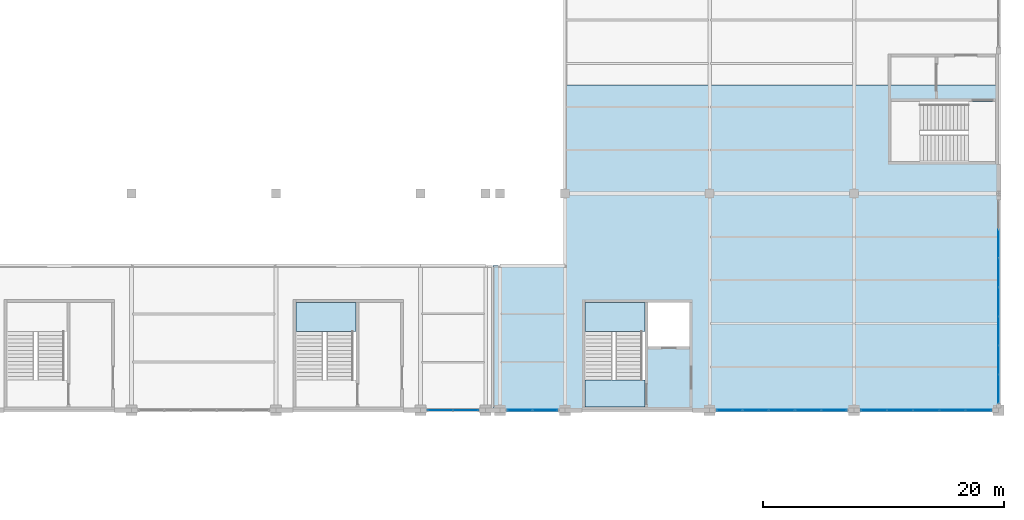
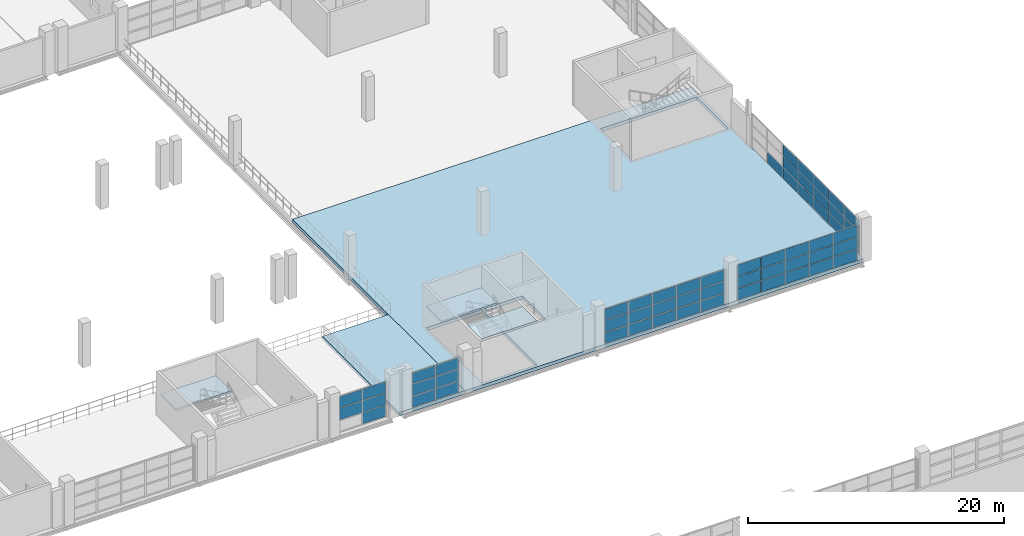
# One storey, part 134 of 158: 57 plates, 5 slabs, 7 elements without a shape of their own.
"""IFC4 building model written with IfcOpenShell, lengths in metres."""

from ifc_helpers import new_model, si_unit, direction, frame, origin, origin_2d, place, context, subcontext, project, spatial, polyline, rectangle, outline, extrude, material, layer, layer_set, type_object, element, aggregate, save


model = new_model("IFC4")

# Units and contexts
model_context = context("Model", 3, precision=1e-05, world=origin(), true_north=direction((0.0, 1.0)))
body_context = subcontext(model_context, "Body", "Model", "MODEL_VIEW")
ifc_project = project(units=[si_unit("LENGTHUNIT", "METRE"), si_unit("AREAUNIT", "SQUARE_METRE"), si_unit("VOLUMEUNIT", "CUBIC_METRE"), si_unit("PLANEANGLEUNIT", "RADIAN"), si_unit("MASSUNIT", "GRAM", prefix="KILO")], contexts=[model_context])

# Site, building, storey
site_placement = place(None, origin())
site = spatial("IfcSite", under=ifc_project, at=site_placement, CompositionType="ELEMENT")
building_placement = place(site_placement, origin())
building = spatial("IfcBuilding", under=site, at=building_placement, Name="Zilviju Railside Exhibition Hall", CompositionType="ELEMENT")
storey_placement = place(building_placement, frame((0.0, 0.0, 4.199951171875)))
storey = spatial("IfcBuildingStorey", under=building, at=storey_placement, Name="L02", CompositionType="ELEMENT", Elevation=4.199951171875)

# Curtain wall, plates
ifc_material_1 = material(Name="Thermally broken aluminium-steel triple-glazed curtain wall", Category="steel")
ifc_layer_1 = layer(ifc_material_1, 0.179931640625)
ifc_layer_set_1 = layer_set([ifc_layer_1], Name="Thermally broken aluminium-steel triple-glazed curtain wall")
curtain_wall_type_1 = type_object("IfcCurtainWallType", Name="CW-BAY-09", PredefinedType="USERDEFINED", material=ifc_layer_set_1)
curtain_wall_1_placement = place(storey_placement, origin())
curtain_wall_1 = element("IfcCurtainWall", 1, at=curtain_wall_1_placement, inside=storey, type_object=curtain_wall_type_1, Name="North Hall Garden Court Curtain Wall L02 (168..173)", ObjectType="GLAZED CURTAIN WALL", PredefinedType="USERDEFINED")
ifc_material_2 = material(Name="Laminated acoustic double-glazed porch unit", Category="glass")
ifc_layer_2 = layer(ifc_material_2, 0.031982421875)
ifc_layer_set_2 = layer_set([ifc_layer_2], Name="Laminated acoustic double-glazed porch unit")
plate_type_1 = type_object("IfcPlateType", Name="CWP-IGU-32", PredefinedType="CURTAIN_PANEL", material=ifc_layer_set_2)
plate_1_placement = place(storey_placement, frame((171.760009765625, 84.0, 0.06005859375), z_axis=(0.0, 0.0, 1.0), x_axis=(-1.0, 0.0, 0.0)))
plate_1 = element("IfcPlate", 2, at=plate_1_placement, type_object=plate_type_1, Name="CW-09 panel 1.1", PredefinedType="CURTAIN_PANEL", context=body_context, shape_type="SweptSolid", body=[
    extrude(rectangle(XDim=2.06005859375, YDim=0.031982421875, at=origin_2d()), origin(), (0.0, 0.0, 1.0), 1.06005859375),
])
plate_2_placement = place(storey_placement, frame((171.760009765625, 84.0, 1.18017578125), z_axis=(0.0, 0.0, 1.0), x_axis=(-1.0, 0.0, 0.0)))
plate_2 = element("IfcPlate", 3, at=plate_2_placement, type_object=plate_type_1, Name="CW-09 panel 1.2", PredefinedType="CURTAIN_PANEL", context=body_context, shape_type="SweptSolid", body=[
    extrude(rectangle(XDim=2.06005859375, YDim=0.031982421875, at=origin_2d()), origin(), (0.0, 0.0, 1.0), 1.090087890625),
])
plate_3_placement = place(storey_placement, frame((171.760009765625, 84.0, 2.330078125), z_axis=(0.0, 0.0, 1.0), x_axis=(-1.0, 0.0, 0.0)))
plate_3 = element("IfcPlate", 4, at=plate_3_placement, type_object=plate_type_1, Name="CW-09 panel 1.3", PredefinedType="CURTAIN_PANEL", context=body_context, shape_type="SweptSolid", body=[
    extrude(rectangle(XDim=2.06005859375, YDim=0.031982421875, at=origin_2d()), origin(), (0.0, 0.0, 1.0), 1.06005859375),
])
plate_4_placement = place(storey_placement, frame((169.639892578125, 84.0, 1.18017578125), z_axis=(0.0, 0.0, 1.0), x_axis=(-1.0, 0.0, 0.0)))
plate_4 = element("IfcPlate", 5, at=plate_4_placement, type_object=plate_type_1, Name="CW-09 panel 2.2", PredefinedType="CURTAIN_PANEL", context=body_context, shape_type="SweptSolid", body=[
    extrude(rectangle(XDim=2.06005859375, YDim=0.031982421875, at=origin_2d()), origin(), (0.0, 0.0, 1.0), 1.090087890625),
])
plate_5_placement = place(storey_placement, frame((169.639892578125, 84.0, 2.330078125), z_axis=(0.0, 0.0, 1.0), x_axis=(-1.0, 0.0, 0.0)))
plate_5 = element("IfcPlate", 6, at=plate_5_placement, type_object=plate_type_1, Name="CW-09 panel 2.3", PredefinedType="CURTAIN_PANEL", context=body_context, shape_type="SweptSolid", body=[
    extrude(rectangle(XDim=2.06005859375, YDim=0.031982421875, at=origin_2d()), origin(), (0.0, 0.0, 1.0), 1.06005859375),
])
aggregate(curtain_wall_1, [plate_1, plate_2, plate_3, plate_4, plate_5])

ifc_layer_3 = layer(ifc_material_1, 0.179931640625)
ifc_layer_set_3 = layer_set([ifc_layer_3], Name="Thermally broken aluminium-steel triple-glazed curtain wall")
curtain_wall_type_2 = type_object("IfcCurtainWallType", Name="CW-BAY-15", PredefinedType="USERDEFINED", material=ifc_layer_set_3)
curtain_wall_2_placement = place(storey_placement, origin())
curtain_wall_2 = element("IfcCurtainWall", 7, at=curtain_wall_2_placement, inside=storey, type_object=curtain_wall_type_2, Name="North Hall East Glazed Gable L02 (84..102)", ObjectType="GLAZED CURTAIN WALL", PredefinedType="USERDEFINED")
plate_6_placement = place(storey_placement, frame((216.0, 97.82861328125, 0.06005859375), z_axis=(0.0, 0.0, 1.0), x_axis=(0.0, -1.0, 0.0)))
plate_6 = element("IfcPlate", 8, at=plate_6_placement, type_object=plate_type_1, Name="CW-15 panel 2.1", PredefinedType="CURTAIN_PANEL", context=body_context, shape_type="SweptSolid", body=[
    extrude(rectangle(XDim=2.354248046875, YDim=0.031982421875, at=origin_2d()), origin(), (0.0, 0.0, 1.0), 1.027099609375),
])
plate_7_placement = place(storey_placement, frame((216.0, 95.414306640625, 0.06005859375), z_axis=(0.0, 0.0, 1.0), x_axis=(0.0, -1.0, 0.0)))
plate_7 = element("IfcPlate", 9, at=plate_7_placement, type_object=plate_type_1, Name="CW-15 panel 3.1", PredefinedType="CURTAIN_PANEL", context=body_context, shape_type="SweptSolid", body=[
    extrude(rectangle(XDim=2.354248046875, YDim=0.031982421875, at=origin_2d()), origin(), (0.0, 0.0, 1.0), 1.027099609375),
])
plate_8_placement = place(storey_placement, frame((216.0, 95.414306640625, 1.14697265625), z_axis=(0.0, 0.0, 1.0), x_axis=(0.0, -1.0, 0.0)))
plate_8 = element("IfcPlate", 10, at=plate_8_placement, type_object=plate_type_1, Name="CW-15 panel 3.2", PredefinedType="CURTAIN_PANEL", context=body_context, shape_type="SweptSolid", body=[
    extrude(rectangle(XDim=2.354248046875, YDim=0.031982421875, at=origin_2d()), origin(), (0.0, 0.0, 1.0), 1.055908203125),
])
plate_9_placement = place(storey_placement, frame((216.0, 95.414306640625, 2.26318359375), z_axis=(0.0, 0.0, 1.0), x_axis=(0.0, -1.0, 0.0)))
plate_9 = element("IfcPlate", 11, at=plate_9_placement, type_object=plate_type_1, Name="CW-15 panel 3.3", PredefinedType="CURTAIN_PANEL", context=body_context, shape_type="SweptSolid", body=[
    extrude(rectangle(XDim=2.354248046875, YDim=0.031982421875, at=origin_2d()), origin(), (0.0, 0.0, 1.0), 1.027099609375),
])
plate_10_placement = place(storey_placement, frame((216.0, 93.0, 0.06005859375), z_axis=(0.0, 0.0, 1.0), x_axis=(0.0, -1.0, 0.0)))
plate_10 = element("IfcPlate", 12, at=plate_10_placement, type_object=plate_type_1, Name="CW-15 panel 4.1", PredefinedType="CURTAIN_PANEL", context=body_context, shape_type="SweptSolid", body=[
    extrude(rectangle(XDim=2.354248046875, YDim=0.031982421875, at=origin_2d()), origin(), (0.0, 0.0, 1.0), 1.027099609375),
])
plate_11_placement = place(storey_placement, frame((216.0, 93.0, 1.14697265625), z_axis=(0.0, 0.0, 1.0), x_axis=(0.0, -1.0, 0.0)))
plate_11 = element("IfcPlate", 13, at=plate_11_placement, type_object=plate_type_1, Name="CW-15 panel 4.2", PredefinedType="CURTAIN_PANEL", context=body_context, shape_type="SweptSolid", body=[
    extrude(rectangle(XDim=2.354248046875, YDim=0.031982421875, at=origin_2d()), origin(), (0.0, 0.0, 1.0), 1.055908203125),
])
plate_12_placement = place(storey_placement, frame((216.0, 93.0, 2.26318359375), z_axis=(0.0, 0.0, 1.0), x_axis=(0.0, -1.0, 0.0)))
plate_12 = element("IfcPlate", 14, at=plate_12_placement, type_object=plate_type_1, Name="CW-15 panel 4.3", PredefinedType="CURTAIN_PANEL", context=body_context, shape_type="SweptSolid", body=[
    extrude(rectangle(XDim=2.354248046875, YDim=0.031982421875, at=origin_2d()), origin(), (0.0, 0.0, 1.0), 1.027099609375),
])
plate_13_placement = place(storey_placement, frame((216.0, 90.585693359375, 0.06005859375), z_axis=(0.0, 0.0, 1.0), x_axis=(0.0, -1.0, 0.0)))
plate_13 = element("IfcPlate", 15, at=plate_13_placement, type_object=plate_type_1, Name="CW-15 panel 5.1", PredefinedType="CURTAIN_PANEL", context=body_context, shape_type="SweptSolid", body=[
    extrude(rectangle(XDim=2.354248046875, YDim=0.031982421875, at=origin_2d()), origin(), (0.0, 0.0, 1.0), 1.027099609375),
])
plate_14_placement = place(storey_placement, frame((216.0, 90.585693359375, 1.14697265625), z_axis=(0.0, 0.0, 1.0), x_axis=(0.0, -1.0, 0.0)))
plate_14 = element("IfcPlate", 16, at=plate_14_placement, type_object=plate_type_1, Name="CW-15 panel 5.2", PredefinedType="CURTAIN_PANEL", context=body_context, shape_type="SweptSolid", body=[
    extrude(rectangle(XDim=2.354248046875, YDim=0.031982421875, at=origin_2d()), origin(), (0.0, 0.0, 1.0), 1.055908203125),
])
plate_15_placement = place(storey_placement, frame((216.0, 90.585693359375, 2.26318359375), z_axis=(0.0, 0.0, 1.0), x_axis=(0.0, -1.0, 0.0)))
plate_15 = element("IfcPlate", 17, at=plate_15_placement, type_object=plate_type_1, Name="CW-15 panel 5.3", PredefinedType="CURTAIN_PANEL", context=body_context, shape_type="SweptSolid", body=[
    extrude(rectangle(XDim=2.354248046875, YDim=0.031982421875, at=origin_2d()), origin(), (0.0, 0.0, 1.0), 1.027099609375),
])
plate_16_placement = place(storey_placement, frame((216.0, 88.17138671875, 0.06005859375), z_axis=(0.0, 0.0, 1.0), x_axis=(0.0, -1.0, 0.0)))
plate_16 = element("IfcPlate", 18, at=plate_16_placement, type_object=plate_type_1, Name="CW-15 panel 6.1", PredefinedType="CURTAIN_PANEL", context=body_context, shape_type="SweptSolid", body=[
    extrude(rectangle(XDim=2.354248046875, YDim=0.031982421875, at=origin_2d()), origin(), (0.0, 0.0, 1.0), 1.027099609375),
])
plate_17_placement = place(storey_placement, frame((216.0, 88.17138671875, 1.14697265625), z_axis=(0.0, 0.0, 1.0), x_axis=(0.0, -1.0, 0.0)))
plate_17 = element("IfcPlate", 19, at=plate_17_placement, type_object=plate_type_1, Name="CW-15 panel 6.2", PredefinedType="CURTAIN_PANEL", context=body_context, shape_type="SweptSolid", body=[
    extrude(rectangle(XDim=2.354248046875, YDim=0.031982421875, at=origin_2d()), origin(), (0.0, 0.0, 1.0), 1.055908203125),
])
plate_18_placement = place(storey_placement, frame((216.0, 88.17138671875, 2.26318359375), z_axis=(0.0, 0.0, 1.0), x_axis=(0.0, -1.0, 0.0)))
plate_18 = element("IfcPlate", 20, at=plate_18_placement, type_object=plate_type_1, Name="CW-15 panel 6.3", PredefinedType="CURTAIN_PANEL", context=body_context, shape_type="SweptSolid", body=[
    extrude(rectangle(XDim=2.354248046875, YDim=0.031982421875, at=origin_2d()), origin(), (0.0, 0.0, 1.0), 1.027099609375),
])
plate_19_placement = place(storey_placement, frame((216.0, 85.772216796875, 0.06005859375), z_axis=(0.0, 0.0, 1.0), x_axis=(0.0, -1.0, 0.0)))
plate_19 = element("IfcPlate", 21, at=plate_19_placement, type_object=plate_type_1, Name="CW-15 panel 7.1", PredefinedType="CURTAIN_PANEL", context=body_context, shape_type="SweptSolid", body=[
    extrude(rectangle(XDim=2.32421875, YDim=0.031982421875, at=origin_2d()), origin(), (0.0, 0.0, 1.0), 1.027099609375),
])
plate_20_placement = place(storey_placement, frame((216.0, 85.772216796875, 1.14697265625), z_axis=(0.0, 0.0, 1.0), x_axis=(0.0, -1.0, 0.0)))
plate_20 = element("IfcPlate", 22, at=plate_20_placement, type_object=plate_type_1, Name="CW-15 panel 7.2", PredefinedType="CURTAIN_PANEL", context=body_context, shape_type="SweptSolid", body=[
    extrude(rectangle(XDim=2.32421875, YDim=0.031982421875, at=origin_2d()), origin(), (0.0, 0.0, 1.0), 1.055908203125),
])
plate_21_placement = place(storey_placement, frame((216.0, 85.772216796875, 2.26318359375), z_axis=(0.0, 0.0, 1.0), x_axis=(0.0, -1.0, 0.0)))
plate_21 = element("IfcPlate", 23, at=plate_21_placement, type_object=plate_type_1, Name="CW-15 panel 7.3", PredefinedType="CURTAIN_PANEL", context=body_context, shape_type="SweptSolid", body=[
    extrude(rectangle(XDim=2.32421875, YDim=0.031982421875, at=origin_2d()), origin(), (0.0, 0.0, 1.0), 1.027099609375),
])
aggregate(curtain_wall_2, [plate_6, plate_7, plate_8, plate_9, plate_10, plate_11, plate_12, plate_13, plate_14, plate_15, plate_16, plate_17, plate_18, plate_19, plate_20, plate_21])

ifc_layer_4 = layer(ifc_material_1, 0.179931640625)
ifc_layer_set_4 = layer_set([ifc_layer_4], Name="Thermally broken aluminium-steel triple-glazed curtain wall")
curtain_wall_type_3 = type_object("IfcCurtainWallType", Name="CW-BAY-12", PredefinedType="USERDEFINED", material=ifc_layer_set_4)
curtain_wall_3_placement = place(storey_placement, origin())
curtain_wall_3 = element("IfcCurtainWall", 24, at=curtain_wall_3_placement, inside=storey, type_object=curtain_wall_type_3, Name="North Hall Garden Court Curtain Wall L02 (204..216)", ObjectType="GLAZED CURTAIN WALL", PredefinedType="USERDEFINED")
ifc_material_3 = material(Name="Triple-glazed low-E argon insulating glass unit", Category="glass")
ifc_layer_5 = layer(ifc_material_3, 0.0439453125)
ifc_layer_set_5 = layer_set([ifc_layer_5], Name="Triple-glazed low-E argon insulating glass unit")
plate_type_2 = type_object("IfcPlateType", Name="CWP-IGU-44", PredefinedType="CURTAIN_PANEL", material=ifc_layer_set_5)
plate_22_placement = place(storey_placement, frame((214.34619140625, 84.0, 0.05517578125), z_axis=(0.0, 0.0, 1.0), x_axis=(-1.0, 0.0, 0.0)))
plate_22 = element("IfcPlate", 25, at=plate_22_placement, type_object=plate_type_2, Name="CW-12 panel 1.1", PredefinedType="CURTAIN_PANEL", context=body_context, shape_type="SweptSolid", body=[
    extrude(rectangle(XDim=2.097412109375, YDim=0.0439453125, at=origin_2d()), origin(), (0.0, 0.0, 1.0), 1.0673828125),
])
plate_23_placement = place(storey_placement, frame((214.34619140625, 84.0, 1.177734375), z_axis=(0.0, 0.0, 1.0), x_axis=(-1.0, 0.0, 0.0)))
plate_23 = element("IfcPlate", 26, at=plate_23_placement, type_object=plate_type_2, Name="CW-12 panel 1.2", PredefinedType="CURTAIN_PANEL", context=body_context, shape_type="SweptSolid", body=[
    extrude(rectangle(XDim=2.097412109375, YDim=0.0439453125, at=origin_2d()), origin(), (0.0, 0.0, 1.0), 1.094970703125),
])
plate_24_placement = place(storey_placement, frame((214.34619140625, 84.0, 2.32763671875), z_axis=(0.0, 0.0, 1.0), x_axis=(-1.0, 0.0, 0.0)))
plate_24 = element("IfcPlate", 27, at=plate_24_placement, type_object=plate_type_2, Name="CW-12 panel 1.3", PredefinedType="CURTAIN_PANEL", context=body_context, shape_type="SweptSolid", body=[
    extrude(rectangle(XDim=2.097412109375, YDim=0.0439453125, at=origin_2d()), origin(), (0.0, 0.0, 1.0), 1.0673828125),
])
plate_25_placement = place(storey_placement, frame((212.179931640625, 84.0, 0.05517578125), z_axis=(0.0, 0.0, 1.0), x_axis=(-1.0, 0.0, 0.0)))
plate_25 = element("IfcPlate", 28, at=plate_25_placement, type_object=plate_type_2, Name="CW-12 panel 2.1", PredefinedType="CURTAIN_PANEL", context=body_context, shape_type="SweptSolid", body=[
    extrude(rectangle(XDim=2.125, YDim=0.0439453125, at=origin_2d()), origin(), (0.0, 0.0, 1.0), 1.0673828125),
])
plate_26_placement = place(storey_placement, frame((212.179931640625, 84.0, 1.177734375), z_axis=(0.0, 0.0, 1.0), x_axis=(-1.0, 0.0, 0.0)))
plate_26 = element("IfcPlate", 29, at=plate_26_placement, type_object=plate_type_2, Name="CW-12 panel 2.2", PredefinedType="CURTAIN_PANEL", context=body_context, shape_type="SweptSolid", body=[
    extrude(rectangle(XDim=2.125, YDim=0.0439453125, at=origin_2d()), origin(), (0.0, 0.0, 1.0), 1.094970703125),
])
plate_27_placement = place(storey_placement, frame((212.179931640625, 84.0, 2.32763671875), z_axis=(0.0, 0.0, 1.0), x_axis=(-1.0, 0.0, 0.0)))
plate_27 = element("IfcPlate", 30, at=plate_27_placement, type_object=plate_type_2, Name="CW-12 panel 2.3", PredefinedType="CURTAIN_PANEL", context=body_context, shape_type="SweptSolid", body=[
    extrude(rectangle(XDim=2.125, YDim=0.0439453125, at=origin_2d()), origin(), (0.0, 0.0, 1.0), 1.0673828125),
])
plate_28_placement = place(storey_placement, frame((210.0, 84.0, 0.05517578125), z_axis=(0.0, 0.0, 1.0), x_axis=(-1.0, 0.0, 0.0)))
plate_28 = element("IfcPlate", 31, at=plate_28_placement, type_object=plate_type_2, Name="CW-12 panel 3.1", PredefinedType="CURTAIN_PANEL", context=body_context, shape_type="SweptSolid", body=[
    extrude(rectangle(XDim=2.125, YDim=0.0439453125, at=origin_2d()), origin(), (0.0, 0.0, 1.0), 1.0673828125),
])
plate_29_placement = place(storey_placement, frame((210.0, 84.0, 1.177734375), z_axis=(0.0, 0.0, 1.0), x_axis=(-1.0, 0.0, 0.0)))
plate_29 = element("IfcPlate", 32, at=plate_29_placement, type_object=plate_type_2, Name="CW-12 panel 3.2", PredefinedType="CURTAIN_PANEL", context=body_context, shape_type="SweptSolid", body=[
    extrude(rectangle(XDim=2.125, YDim=0.0439453125, at=origin_2d()), origin(), (0.0, 0.0, 1.0), 1.094970703125),
])
plate_30_placement = place(storey_placement, frame((210.0, 84.0, 2.32763671875), z_axis=(0.0, 0.0, 1.0), x_axis=(-1.0, 0.0, 0.0)))
plate_30 = element("IfcPlate", 33, at=plate_30_placement, type_object=plate_type_2, Name="CW-12 panel 3.3", PredefinedType="CURTAIN_PANEL", context=body_context, shape_type="SweptSolid", body=[
    extrude(rectangle(XDim=2.125, YDim=0.0439453125, at=origin_2d()), origin(), (0.0, 0.0, 1.0), 1.0673828125),
])
plate_31_placement = place(storey_placement, frame((207.820068359375, 84.0, 0.05517578125), z_axis=(0.0, 0.0, 1.0), x_axis=(-1.0, 0.0, 0.0)))
plate_31 = element("IfcPlate", 34, at=plate_31_placement, type_object=plate_type_2, Name="CW-12 panel 4.1", PredefinedType="CURTAIN_PANEL", context=body_context, shape_type="SweptSolid", body=[
    extrude(rectangle(XDim=2.125, YDim=0.0439453125, at=origin_2d()), origin(), (0.0, 0.0, 1.0), 1.0673828125),
])
plate_32_placement = place(storey_placement, frame((207.820068359375, 84.0, 1.177734375), z_axis=(0.0, 0.0, 1.0), x_axis=(-1.0, 0.0, 0.0)))
plate_32 = element("IfcPlate", 35, at=plate_32_placement, type_object=plate_type_2, Name="CW-12 panel 4.2", PredefinedType="CURTAIN_PANEL", context=body_context, shape_type="SweptSolid", body=[
    extrude(rectangle(XDim=2.125, YDim=0.0439453125, at=origin_2d()), origin(), (0.0, 0.0, 1.0), 1.094970703125),
])
plate_33_placement = place(storey_placement, frame((207.820068359375, 84.0, 2.32763671875), z_axis=(0.0, 0.0, 1.0), x_axis=(-1.0, 0.0, 0.0)))
plate_33 = element("IfcPlate", 36, at=plate_33_placement, type_object=plate_type_2, Name="CW-12 panel 4.3", PredefinedType="CURTAIN_PANEL", context=body_context, shape_type="SweptSolid", body=[
    extrude(rectangle(XDim=2.125, YDim=0.0439453125, at=origin_2d()), origin(), (0.0, 0.0, 1.0), 1.0673828125),
])
plate_34_placement = place(storey_placement, frame((205.65380859375, 84.0, 0.05517578125), z_axis=(0.0, 0.0, 1.0), x_axis=(-1.0, 0.0, 0.0)))
plate_34 = element("IfcPlate", 37, at=plate_34_placement, type_object=plate_type_2, Name="CW-12 panel 5.1", PredefinedType="CURTAIN_PANEL", context=body_context, shape_type="SweptSolid", body=[
    extrude(rectangle(XDim=2.097412109375, YDim=0.0439453125, at=origin_2d()), origin(), (0.0, 0.0, 1.0), 1.0673828125),
])
plate_35_placement = place(storey_placement, frame((205.65380859375, 84.0, 1.177734375), z_axis=(0.0, 0.0, 1.0), x_axis=(-1.0, 0.0, 0.0)))
plate_35 = element("IfcPlate", 38, at=plate_35_placement, type_object=plate_type_2, Name="CW-12 panel 5.2", PredefinedType="CURTAIN_PANEL", context=body_context, shape_type="SweptSolid", body=[
    extrude(rectangle(XDim=2.097412109375, YDim=0.0439453125, at=origin_2d()), origin(), (0.0, 0.0, 1.0), 1.094970703125),
])
plate_36_placement = place(storey_placement, frame((205.65380859375, 84.0, 2.32763671875), z_axis=(0.0, 0.0, 1.0), x_axis=(-1.0, 0.0, 0.0)))
plate_36 = element("IfcPlate", 39, at=plate_36_placement, type_object=plate_type_2, Name="CW-12 panel 5.3", PredefinedType="CURTAIN_PANEL", context=body_context, shape_type="SweptSolid", body=[
    extrude(rectangle(XDim=2.097412109375, YDim=0.0439453125, at=origin_2d()), origin(), (0.0, 0.0, 1.0), 1.0673828125),
])
aggregate(curtain_wall_3, [plate_22, plate_23, plate_24, plate_25, plate_26, plate_27, plate_28, plate_29, plate_30, plate_31, plate_32, plate_33, plate_34, plate_35, plate_36])

ifc_layer_6 = layer(ifc_material_1, 0.179931640625)
ifc_layer_set_6 = layer_set([ifc_layer_6], Name="Thermally broken aluminium-steel triple-glazed curtain wall")
curtain_wall_type_4 = type_object("IfcCurtainWallType", Name="CW-BAY-10", PredefinedType="USERDEFINED", material=ifc_layer_set_6)
curtain_wall_4_placement = place(storey_placement, origin())
curtain_wall_4 = element("IfcCurtainWall", 40, at=curtain_wall_4_placement, inside=storey, type_object=curtain_wall_type_4, Name="North Hall Garden Court Curtain Wall L02 (175..180)", ObjectType="GLAZED CURTAIN WALL", PredefinedType="USERDEFINED")
ifc_material_4 = material(Name="Insulated cobalt-blue enamelled spandrel glass panel", Category="glass")
ifc_layer_7 = layer(ifc_material_4, 0.052001953125)
ifc_layer_set_7 = layer_set([ifc_layer_7], Name="Insulated cobalt-blue enamelled spandrel glass panel")
plate_type_3 = type_object("IfcPlateType", Name="CWP-SPD-52", PredefinedType="CURTAIN_PANEL", material=ifc_layer_set_7)
plate_37_placement = place(storey_placement, frame((178.35498046875, 84.0, 0.080078125), z_axis=(0.0, 0.0, 1.0), x_axis=(-1.0, 0.0, 0.0)))
plate_37 = element("IfcPlate", 41, at=plate_37_placement, type_object=plate_type_3, Name="CW-10 panel 1.1", PredefinedType="CURTAIN_PANEL", context=body_context, shape_type="SweptSolid", body=[
    extrude(rectangle(XDim=2.030029296875, YDim=0.052001953125, at=origin_2d()), origin(), (0.0, 0.0, 1.0), 1.030029296875),
])
plate_38_placement = place(storey_placement, frame((178.35498046875, 84.0, 1.18994140625), z_axis=(0.0, 0.0, 1.0), x_axis=(-1.0, 0.0, 0.0)))
plate_38 = element("IfcPlate", 42, at=plate_38_placement, type_object=plate_type_3, Name="CW-10 panel 1.2", PredefinedType="CURTAIN_PANEL", context=body_context, shape_type="SweptSolid", body=[
    extrude(rectangle(XDim=2.030029296875, YDim=0.052001953125, at=origin_2d()), origin(), (0.0, 0.0, 1.0), 1.070068359375),
])
plate_39_placement = place(storey_placement, frame((178.35498046875, 84.0, 2.33984375), z_axis=(0.0, 0.0, 1.0), x_axis=(-1.0, 0.0, 0.0)))
plate_39 = element("IfcPlate", 43, at=plate_39_placement, type_object=plate_type_3, Name="CW-10 panel 1.3", PredefinedType="CURTAIN_PANEL", context=body_context, shape_type="SweptSolid", body=[
    extrude(rectangle(XDim=2.030029296875, YDim=0.052001953125, at=origin_2d()), origin(), (0.0, 0.0, 1.0), 1.030029296875),
])
plate_40_placement = place(storey_placement, frame((176.2451171875, 84.0, 0.080078125), z_axis=(0.0, 0.0, 1.0), x_axis=(-1.0, 0.0, 0.0)))
plate_40 = element("IfcPlate", 44, at=plate_40_placement, type_object=plate_type_3, Name="CW-10 panel 2.1", PredefinedType="CURTAIN_PANEL", context=body_context, shape_type="SweptSolid", body=[
    extrude(rectangle(XDim=2.030029296875, YDim=0.052001953125, at=origin_2d()), origin(), (0.0, 0.0, 1.0), 1.030029296875),
])
plate_41_placement = place(storey_placement, frame((176.2451171875, 84.0, 1.18994140625), z_axis=(0.0, 0.0, 1.0), x_axis=(-1.0, 0.0, 0.0)))
plate_41 = element("IfcPlate", 45, at=plate_41_placement, type_object=plate_type_3, Name="CW-10 panel 2.2", PredefinedType="CURTAIN_PANEL", context=body_context, shape_type="SweptSolid", body=[
    extrude(rectangle(XDim=2.030029296875, YDim=0.052001953125, at=origin_2d()), origin(), (0.0, 0.0, 1.0), 1.070068359375),
])
plate_42_placement = place(storey_placement, frame((176.2451171875, 84.0, 2.33984375), z_axis=(0.0, 0.0, 1.0), x_axis=(-1.0, 0.0, 0.0)))
plate_42 = element("IfcPlate", 46, at=plate_42_placement, type_object=plate_type_3, Name="CW-10 panel 2.3", PredefinedType="CURTAIN_PANEL", context=body_context, shape_type="SweptSolid", body=[
    extrude(rectangle(XDim=2.030029296875, YDim=0.052001953125, at=origin_2d()), origin(), (0.0, 0.0, 1.0), 1.030029296875),
])
aggregate(curtain_wall_4, [plate_37, plate_38, plate_39, plate_40, plate_41, plate_42])

ifc_layer_8 = layer(ifc_material_1, 0.179931640625)
ifc_layer_set_8 = layer_set([ifc_layer_8], Name="Thermally broken aluminium-steel triple-glazed curtain wall")
curtain_wall_type_5 = type_object("IfcCurtainWallType", Name="CW-BAY-11", PredefinedType="USERDEFINED", material=ifc_layer_set_8)
curtain_wall_5_placement = place(storey_placement, origin())
curtain_wall_5 = element("IfcCurtainWall", 47, at=curtain_wall_5_placement, inside=storey, type_object=curtain_wall_type_5, Name="North Hall Garden Court Curtain Wall L02 (192..204)", ObjectType="GLAZED CURTAIN WALL", PredefinedType="USERDEFINED")
ifc_material_5 = material(Name="Insulated emerald ceramic-frit spandrel panel", Category="glass")
ifc_layer_9 = layer(ifc_material_5, 0.06396484375)
ifc_layer_set_9 = layer_set([ifc_layer_9], Name="Insulated emerald ceramic-frit spandrel panel")
plate_type_4 = type_object("IfcPlateType", Name="CWP-SPD-64", PredefinedType="CURTAIN_PANEL", material=ifc_layer_set_9)
plate_43_placement = place(storey_placement, frame((202.34130859375, 84.0, 0.074951171875), z_axis=(0.0, 0.0, 1.0), x_axis=(-1.0, 0.0, 0.0)))
plate_43 = element("IfcPlate", 48, at=plate_43_placement, type_object=plate_type_4, Name="CW-11 panel 1.1", PredefinedType="CURTAIN_PANEL", context=body_context, shape_type="SweptSolid", body=[
    extrude(rectangle(XDim=2.0673828125, YDim=0.06396484375, at=origin_2d()), origin(), (0.0, 0.0, 1.0), 1.03759765625),
])
plate_44_placement = place(storey_placement, frame((202.34130859375, 84.0, 1.1875), z_axis=(0.0, 0.0, 1.0), x_axis=(-1.0, 0.0, 0.0)))
plate_44 = element("IfcPlate", 49, at=plate_44_placement, type_object=plate_type_4, Name="CW-11 panel 1.2", PredefinedType="CURTAIN_PANEL", context=body_context, shape_type="SweptSolid", body=[
    extrude(rectangle(XDim=2.0673828125, YDim=0.06396484375, at=origin_2d()), origin(), (0.0, 0.0, 1.0), 1.074951171875),
])
plate_45_placement = place(storey_placement, frame((202.34130859375, 84.0, 2.33740234375), z_axis=(0.0, 0.0, 1.0), x_axis=(-1.0, 0.0, 0.0)))
plate_45 = element("IfcPlate", 50, at=plate_45_placement, type_object=plate_type_4, Name="CW-11 panel 1.3", PredefinedType="CURTAIN_PANEL", context=body_context, shape_type="SweptSolid", body=[
    extrude(rectangle(XDim=2.0673828125, YDim=0.06396484375, at=origin_2d()), origin(), (0.0, 0.0, 1.0), 1.03759765625),
])
plate_46_placement = place(storey_placement, frame((200.179931640625, 84.0, 0.074951171875), z_axis=(0.0, 0.0, 1.0), x_axis=(-1.0, 0.0, 0.0)))
plate_46 = element("IfcPlate", 51, at=plate_46_placement, type_object=plate_type_4, Name="CW-11 panel 2.1", PredefinedType="CURTAIN_PANEL", context=body_context, shape_type="SweptSolid", body=[
    extrude(rectangle(XDim=2.10498046875, YDim=0.06396484375, at=origin_2d()), origin(), (0.0, 0.0, 1.0), 1.03759765625),
])
plate_47_placement = place(storey_placement, frame((200.179931640625, 84.0, 1.1875), z_axis=(0.0, 0.0, 1.0), x_axis=(-1.0, 0.0, 0.0)))
plate_47 = element("IfcPlate", 52, at=plate_47_placement, type_object=plate_type_4, Name="CW-11 panel 2.2", PredefinedType="CURTAIN_PANEL", context=body_context, shape_type="SweptSolid", body=[
    extrude(rectangle(XDim=2.10498046875, YDim=0.06396484375, at=origin_2d()), origin(), (0.0, 0.0, 1.0), 1.074951171875),
])
plate_48_placement = place(storey_placement, frame((200.179931640625, 84.0, 2.33740234375), z_axis=(0.0, 0.0, 1.0), x_axis=(-1.0, 0.0, 0.0)))
plate_48 = element("IfcPlate", 53, at=plate_48_placement, type_object=plate_type_4, Name="CW-11 panel 2.3", PredefinedType="CURTAIN_PANEL", context=body_context, shape_type="SweptSolid", body=[
    extrude(rectangle(XDim=2.10498046875, YDim=0.06396484375, at=origin_2d()), origin(), (0.0, 0.0, 1.0), 1.03759765625),
])
plate_49_placement = place(storey_placement, frame((198.0, 84.0, 0.074951171875), z_axis=(0.0, 0.0, 1.0), x_axis=(-1.0, 0.0, 0.0)))
plate_49 = element("IfcPlate", 54, at=plate_49_placement, type_object=plate_type_4, Name="CW-11 panel 3.1", PredefinedType="CURTAIN_PANEL", context=body_context, shape_type="SweptSolid", body=[
    extrude(rectangle(XDim=2.10498046875, YDim=0.06396484375, at=origin_2d()), origin(), (0.0, 0.0, 1.0), 1.03759765625),
])
plate_50_placement = place(storey_placement, frame((198.0, 84.0, 1.1875), z_axis=(0.0, 0.0, 1.0), x_axis=(-1.0, 0.0, 0.0)))
plate_50 = element("IfcPlate", 55, at=plate_50_placement, type_object=plate_type_4, Name="CW-11 panel 3.2", PredefinedType="CURTAIN_PANEL", context=body_context, shape_type="SweptSolid", body=[
    extrude(rectangle(XDim=2.10498046875, YDim=0.06396484375, at=origin_2d()), origin(), (0.0, 0.0, 1.0), 1.074951171875),
])
plate_51_placement = place(storey_placement, frame((198.0, 84.0, 2.33740234375), z_axis=(0.0, 0.0, 1.0), x_axis=(-1.0, 0.0, 0.0)))
plate_51 = element("IfcPlate", 56, at=plate_51_placement, type_object=plate_type_4, Name="CW-11 panel 3.3", PredefinedType="CURTAIN_PANEL", context=body_context, shape_type="SweptSolid", body=[
    extrude(rectangle(XDim=2.10498046875, YDim=0.06396484375, at=origin_2d()), origin(), (0.0, 0.0, 1.0), 1.03759765625),
])
plate_52_placement = place(storey_placement, frame((195.820068359375, 84.0, 0.074951171875), z_axis=(0.0, 0.0, 1.0), x_axis=(-1.0, 0.0, 0.0)))
plate_52 = element("IfcPlate", 57, at=plate_52_placement, type_object=plate_type_4, Name="CW-11 panel 4.1", PredefinedType="CURTAIN_PANEL", context=body_context, shape_type="SweptSolid", body=[
    extrude(rectangle(XDim=2.10498046875, YDim=0.06396484375, at=origin_2d()), origin(), (0.0, 0.0, 1.0), 1.03759765625),
])
plate_53_placement = place(storey_placement, frame((195.820068359375, 84.0, 1.1875), z_axis=(0.0, 0.0, 1.0), x_axis=(-1.0, 0.0, 0.0)))
plate_53 = element("IfcPlate", 58, at=plate_53_placement, type_object=plate_type_4, Name="CW-11 panel 4.2", PredefinedType="CURTAIN_PANEL", context=body_context, shape_type="SweptSolid", body=[
    extrude(rectangle(XDim=2.10498046875, YDim=0.06396484375, at=origin_2d()), origin(), (0.0, 0.0, 1.0), 1.074951171875),
])
plate_54_placement = place(storey_placement, frame((195.820068359375, 84.0, 2.33740234375), z_axis=(0.0, 0.0, 1.0), x_axis=(-1.0, 0.0, 0.0)))
plate_54 = element("IfcPlate", 59, at=plate_54_placement, type_object=plate_type_4, Name="CW-11 panel 4.3", PredefinedType="CURTAIN_PANEL", context=body_context, shape_type="SweptSolid", body=[
    extrude(rectangle(XDim=2.10498046875, YDim=0.06396484375, at=origin_2d()), origin(), (0.0, 0.0, 1.0), 1.03759765625),
])
plate_55_placement = place(storey_placement, frame((193.65869140625, 84.0, 0.074951171875), z_axis=(0.0, 0.0, 1.0), x_axis=(-1.0, 0.0, 0.0)))
plate_55 = element("IfcPlate", 60, at=plate_55_placement, type_object=plate_type_4, Name="CW-11 panel 5.1", PredefinedType="CURTAIN_PANEL", context=body_context, shape_type="SweptSolid", body=[
    extrude(rectangle(XDim=2.0673828125, YDim=0.06396484375, at=origin_2d()), origin(), (0.0, 0.0, 1.0), 1.03759765625),
])
plate_56_placement = place(storey_placement, frame((193.65869140625, 84.0, 1.1875), z_axis=(0.0, 0.0, 1.0), x_axis=(-1.0, 0.0, 0.0)))
plate_56 = element("IfcPlate", 61, at=plate_56_placement, type_object=plate_type_4, Name="CW-11 panel 5.2", PredefinedType="CURTAIN_PANEL", context=body_context, shape_type="SweptSolid", body=[
    extrude(rectangle(XDim=2.0673828125, YDim=0.06396484375, at=origin_2d()), origin(), (0.0, 0.0, 1.0), 1.074951171875),
])
plate_57_placement = place(storey_placement, frame((193.65869140625, 84.0, 2.33740234375), z_axis=(0.0, 0.0, 1.0), x_axis=(-1.0, 0.0, 0.0)))
plate_57 = element("IfcPlate", 62, at=plate_57_placement, type_object=plate_type_4, Name="CW-11 panel 5.3", PredefinedType="CURTAIN_PANEL", context=body_context, shape_type="SweptSolid", body=[
    extrude(rectangle(XDim=2.0673828125, YDim=0.06396484375, at=origin_2d()), origin(), (0.0, 0.0, 1.0), 1.03759765625),
])
aggregate(curtain_wall_5, [plate_43, plate_44, plate_45, plate_46, plate_47, plate_48, plate_49, plate_50, plate_51, plate_52, plate_53, plate_54, plate_55, plate_56, plate_57])

# Slabs
ifc_material_6 = material(Name="Concrete C35/45", Category="concrete")
ifc_layer_10 = layer(ifc_material_6, 0.330078125)
ifc_layer_set_10 = layer_set([ifc_layer_10], Name="Concrete C35/45")
slab_type_1 = type_object("IfcSlabType", Name="SL-FLR-330", PredefinedType="FLOOR", material=ifc_layer_set_10)
slab_1_placement = place(storey_placement, frame((0.0, 0.0, -0.329833984375)))
element("IfcSlab", 63, at=slab_1_placement, inside=storey, type_object=slab_type_1, Name="North Hall L02 Court Walkway East", PredefinedType="FLOOR", context=body_context, shape_type="SweptSolid", body=[
    extrude(outline(polyline([(174.030029296875, 84.0), (180.0, 84.0), (180.0, 96.0), (174.030029296875, 96.0), (174.030029296875, 84.0)])), origin(), (0.0, 0.0, 1.0), 0.329833984375),
])
slab_2_placement = place(storey_placement, frame((0.0, 0.0, -0.329833984375)))
element("IfcSlab", 64, at=slab_2_placement, inside=storey, type_object=slab_type_1, Name="North Hall L02 East Gallery South", PredefinedType="FLOOR", context=body_context, shape_type="SweptSolid", body=[
    extrude(outline(polyline([(180.0, 84.0), (216.0, 84.0), (216.0, 111.0), (180.0, 111.0), (180.0, 84.0)]), holes=[polyline([(181.64990234375, 84.25), (186.64990234375, 84.25), (186.64990234375, 92.949951171875), (181.64990234375, 92.949951171875), (181.64990234375, 84.25)]), polyline([(186.89990234375, 89.300048828125), (190.35009765625, 89.300048828125), (190.35009765625, 92.949951171875), (186.89990234375, 92.949951171875), (186.89990234375, 89.300048828125)]), polyline([(207.050048828125, 104.64990234375), (215.75, 104.64990234375), (215.75, 109.64990234375), (207.050048828125, 109.64990234375), (207.050048828125, 104.64990234375)])]), origin(), (0.0, 0.0, 1.0), 0.329833984375),
])

# Stair, slab
stair_type_1 = type_object("IfcStairType", Name="STAIR-ST-C", PredefinedType="HALF_TURN_STAIR", material=ifc_material_6)
stair_1_placement = place(storey_placement, origin())
stair_1 = element("IfcStair", 65, at=stair_1_placement, inside=storey, type_object=stair_type_1, Name="Core C06 North Hall Court MidE Exit Stair L02", PredefinedType="HALF_TURN_STAIR")
ifc_layer_11 = layer(ifc_material_6, 0.199951171875)
ifc_layer_set_11 = layer_set([ifc_layer_11], Name="Concrete C35/45")
slab_type_2 = type_object("IfcSlabType", Name="SL-LAND-200", PredefinedType="LANDING", material=ifc_layer_set_11)
slab_3_placement = place(storey_placement, frame((0.0, 0.0, 1.900146484375)))
slab_3 = element("IfcSlab", 66, at=slab_3_placement, type_object=slab_type_2, Name="ST-06 landing 1", PredefinedType="LANDING", context=body_context, shape_type="SweptSolid", body=[
    extrude(outline(polyline([(157.64990234375, 90.530029296875), (162.64990234375, 90.530029296875), (162.64990234375, 92.949951171875), (157.64990234375, 92.949951171875), (157.64990234375, 90.530029296875)])), origin(), (0.0, 0.0, 1.0), 0.199951171875),
])
aggregate(stair_1, [slab_3])

# Stair, slabs
stair_type_2 = type_object("IfcStairType", Name="STAIR-ST-A", PredefinedType="HALF_TURN_STAIR", material=ifc_material_6)
stair_2_placement = place(storey_placement, origin())
stair_2 = element("IfcStair", 67, at=stair_2_placement, inside=storey, type_object=stair_type_2, Name="Core C07 North Hall Court East Exit Stair L02", PredefinedType="HALF_TURN_STAIR")
slab_4_placement = place(storey_placement, frame((0.0, 0.0, 1.900146484375)))
slab_4 = element("IfcSlab", 68, at=slab_4_placement, type_object=slab_type_2, Name="ST-07 landing 1", PredefinedType="LANDING", context=body_context, shape_type="SweptSolid", body=[
    extrude(outline(polyline([(181.64990234375, 90.530029296875), (186.64990234375, 90.530029296875), (186.64990234375, 92.949951171875), (181.64990234375, 92.949951171875), (181.64990234375, 90.530029296875)])), origin(), (0.0, 0.0, 1.0), 0.199951171875),
])
slab_5_placement = place(storey_placement, frame((0.0, 0.0, 4.0)))
slab_5 = element("IfcSlab", 69, at=slab_5_placement, type_object=slab_type_2, Name="ST-07 landing 2", PredefinedType="LANDING", context=body_context, shape_type="SweptSolid", body=[
    extrude(outline(polyline([(181.64990234375, 84.25), (186.64990234375, 84.25), (186.64990234375, 86.5), (181.64990234375, 86.5), (181.64990234375, 84.25)])), origin(), (0.0, 0.0, 1.0), 0.199951171875),
])
aggregate(stair_2, [slab_4, slab_5])

save(model, "model.ifc")
